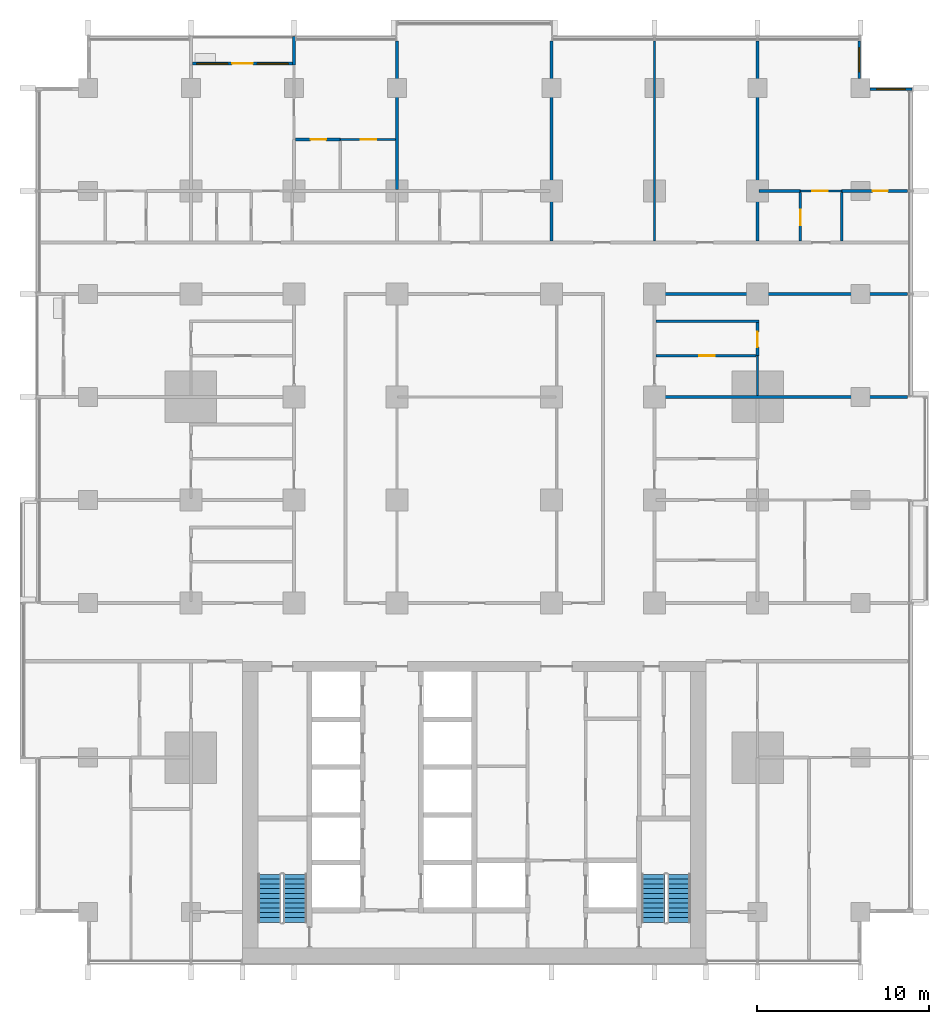
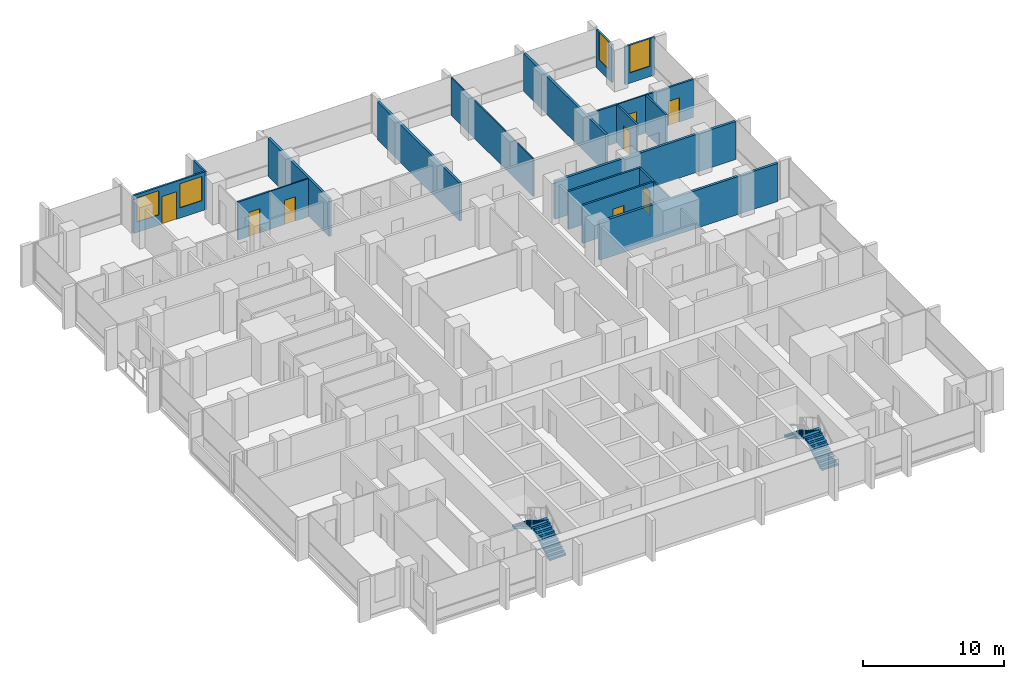
# One storey, part 12 of 17: 21 walls, 8 doors, 4 stair flights, 4 windows, 12 openings, 2 elements without a shape of their own.
"""IFC4 building model written with IfcOpenShell, lengths in metres."""

from ifc_helpers import new_model, si_unit, direction, frame, frame_2d, origin, place, context, subcontext, project, spatial, polyline, rectangle, outline, extrude, material, layer, layer_set, type_object, element, fill, aggregate, save


model = new_model("IFC4")

# Units and contexts
model_context = context("Model", 3, precision=1e-05, world=origin(), true_north=direction((0.0, 1.0)))
body_context = subcontext(model_context, "Body", "Model", "MODEL_VIEW")
ifc_project = project(units=[si_unit("LENGTHUNIT", "METRE"), si_unit("AREAUNIT", "SQUARE_METRE"), si_unit("VOLUMEUNIT", "CUBIC_METRE"), si_unit("PLANEANGLEUNIT", "RADIAN"), si_unit("MASSUNIT", "GRAM", prefix="KILO")], contexts=[model_context])

# Site, building, storey
site_placement = place(None, origin())
site = spatial("IfcSite", under=ifc_project, at=site_placement, CompositionType="ELEMENT")
building_placement = place(site_placement, origin())
building = spatial("IfcBuilding", under=site, at=building_placement, Name="Finial Court Residences", CompositionType="ELEMENT")
storey_placement = place(building_placement, frame((0.0, 0.0, 61.300048828125)))
storey = spatial("IfcBuildingStorey", under=building, at=storey_placement, Name="L14", CompositionType="ELEMENT", Elevation=61.300048828125)

# Walls
ifc_material_1 = material(Name="Gypsum board")
ifc_layer_1 = layer(ifc_material_1, 0.02490234375)
ifc_material_2 = material(Name="Acoustic mineral wool in double frame")
ifc_layer_2 = layer(ifc_material_2, 0.14990234375)
ifc_layer_3 = layer(ifc_material_1, 0.02490234375)
ifc_layer_set_1 = layer_set([ifc_layer_1, ifc_layer_2, ifc_layer_3], Name="Acoustic party wall 200, 1 hour")
wall_type_1 = type_object("IfcWallType", Name="Acoustic party wall 200, 1 hour", PredefinedType="PARTITIONING", material=ifc_layer_set_1)
wall_1_placement = place(storey_placement, frame((10.60009765625, 7.5, 0.0), z_axis=(0.0, 0.0, 1.0), x_axis=(1.0, 0.0, 0.0)))
element("IfcWall", 1, at=wall_1_placement, inside=storey, type_object=wall_type_1, Name="Partition L14-023", PredefinedType="PARTITIONING", context=body_context, shape_type="SweptSolid", body=[
    extrude(rectangle(XDim=14.64990234375, YDim=0.199951171875, at=frame_2d((7.324951171875, 0.0))), origin(), (0.0, 0.0, 1.0), 3.300048828125),
])
wall_2_placement = place(storey_placement, frame((-4.5, 19.574951171875, 0.0), z_axis=(0.0, 0.0, 1.0), x_axis=(0.0, 1.0, 0.0)))
element("IfcWall", 2, at=wall_2_placement, inside=storey, type_object=wall_type_1, Name="Partition L14-070", PredefinedType="PARTITIONING", context=body_context, shape_type="SweptSolid", body=[
    extrude(rectangle(XDim=8.675048828125, YDim=0.199951171875, at=frame_2d((4.33740234375, 0.0))), origin(), (0.0, 0.0, 1.0), 3.300048828125),
])
ifc_layer_4 = layer(ifc_material_1, 0.02490234375)
ifc_layer_5 = layer(ifc_material_2, 0.14990234375)
ifc_layer_6 = layer(ifc_material_1, 0.02490234375)
ifc_layer_set_2 = layer_set([ifc_layer_4, ifc_layer_5, ifc_layer_6], Name="Corridor wall 200, 1 hour")
wall_type_2 = type_object("IfcWallType", Name="Corridor wall 200, 1 hour", PredefinedType="PARTITIONING", material=ifc_layer_set_2)
wall_3_placement = place(storey_placement, frame((10.39990234375, 13.5, 0.0), z_axis=(0.0, 0.0, 1.0), x_axis=(1.0, 0.0, 0.0)))
element("IfcWall", 3, at=wall_3_placement, inside=storey, type_object=wall_type_2, Name="Partition L14-030", PredefinedType="PARTITIONING", context=body_context, shape_type="SweptSolid", body=[
    extrude(rectangle(XDim=14.85009765625, YDim=0.199951171875, at=frame_2d((7.425048828125, 0.0))), origin(), (0.0, 0.0, 1.0), 3.300048828125),
])
for number, where, z_axis, x_axis, name in (
    (4, (4.5, 16.60009765625, 0.0), (0.0, 0.0, 1.0), (0.0, 1.0, 0.0), "Partition L14-073"),
    (5, (16.5, 16.60009765625, 0.0), (0.0, 0.0, 1.0), (0.0, 1.0, 0.0), "Partition L14-078"),
):
    element("IfcWall", number, at=place(storey_placement, frame(where, z_axis=z_axis, x_axis=x_axis)), inside=storey, type_object=wall_type_2, Name=name, PredefinedType="PARTITIONING", context=body_context, shape_type="SweptSolid", body=[
        extrude(rectangle(XDim=11.64990234375, YDim=0.199951171875, at=frame_2d((5.824951171875, 0.0))), origin(), (0.0, 0.0, 1.0), 3.300048828125),
    ])

# Wall, opening, door
ifc_layer_7 = layer(ifc_material_1, 0.012451171875)
ifc_material_3 = material(Name="Mineral wool in light-gauge frame")
ifc_layer_8 = layer(ifc_material_3, 0.074951171875)
ifc_layer_9 = layer(ifc_material_1, 0.012451171875)
ifc_layer_set_3 = layer_set([ifc_layer_7, ifc_layer_8, ifc_layer_9], Name="Gypsum board partition 100")
wall_type_3 = type_object("IfcWallType", Name="Gypsum board partition 100", PredefinedType="PARTITIONING", material=ifc_layer_set_3)
wall_4_placement = place(storey_placement, frame((19.0, 19.5, 0.0), z_axis=(0.0, 0.0, 1.0), x_axis=(1.0, 0.0, 0.0)))
wall_4 = element("IfcWall", 6, at=wall_4_placement, inside=storey, type_object=wall_type_3, Name="Partition L14-035", PredefinedType="PARTITIONING", context=body_context, shape_type="SweptSolid", body=[
    extrude(rectangle(XDim=2.39990234375, YDim=0.10009765625, at=frame_2d((1.199951171875, 0.0))), origin(), (0.0, 0.0, 1.0), 3.300048828125),
])
opening_1_placement = place(wall_4_placement, frame((0.699951171875, 0.0, 0.0)))
opening_1 = element("IfcOpeningElement", 7, at=opening_1_placement, cuts=wall_4, Name="Opening L14-D027", PredefinedType="OPENING", context=body_context, shape_type="SweptSolid", body=[
    extrude(rectangle(XDim=0.89990234375, YDim=2.10009765625, at=frame_2d((0.449951171875, 1.050048828125))), frame((0.0, 0.06005859375, 0.0), z_axis=(0.0, -1.0, 0.0), x_axis=(1.0, 0.0, 0.0)), (0.0, 0.0, 1.0), 0.1201171875),
])
ifc_material_4 = material(Name="Timber door leaf in timber frame", Category="wood")
door_type_1 = type_object("IfcDoorType", Name="Door set 900 x 2100", OperationType="SINGLE_SWING_LEFT", PredefinedType="DOOR", material=ifc_material_4)
door_1_placement = place(opening_1_placement, origin())
door_1 = element("IfcDoor", 8, at=door_1_placement, inside=storey, type_object=door_type_1, Name="Door L14-D027", OperationType="SINGLE_SWING_RIGHT", OverallHeight=2.10009765625, OverallWidth=0.89990234375, PredefinedType="DOOR", context=body_context, shape_type="SweptSolid", body=[
    extrude(rectangle(XDim=0.89990234375, YDim=2.10009765625, at=frame_2d((0.449951171875, 1.050048828125))), frame((0.0, 0.02490234375, 0.0), z_axis=(0.0, -1.0, 0.0), x_axis=(1.0, 0.0, 0.0)), (0.0, 0.0, 1.0), 0.050048828125),
])
fill(opening_1, door_1)

wall_5_placement = place(storey_placement, frame((-7.800048828125, 22.5, 0.0), z_axis=(0.0, 0.0, 1.0), x_axis=(1.0, 0.0, 0.0)))
wall_5 = element("IfcWall", 9, at=wall_5_placement, inside=storey, type_object=wall_type_3, Name="Partition L14-042", PredefinedType="PARTITIONING", context=body_context, shape_type="SweptSolid", body=[
    extrude(rectangle(XDim=3.199951171875, YDim=0.10009765625, at=frame_2d((1.60009765625, 0.0))), origin(), (0.0, 0.0, 1.0), 3.300048828125),
])
opening_2_placement = place(wall_5_placement, frame((1.199951171875, 0.0, 0.0)))
opening_2 = element("IfcOpeningElement", 10, at=opening_2_placement, cuts=wall_5, Name="Opening L14-D031", PredefinedType="OPENING", context=body_context, shape_type="SweptSolid", body=[
    extrude(rectangle(XDim=0.89990234375, YDim=2.10009765625, at=frame_2d((0.449951171875, 1.050048828125))), frame((0.0, 0.06005859375, 0.0), z_axis=(0.0, -1.0, 0.0), x_axis=(1.0, 0.0, 0.0)), (0.0, 0.0, 1.0), 0.1201171875),
])
door_2_placement = place(opening_2_placement, origin())
door_2 = element("IfcDoor", 11, at=door_2_placement, inside=storey, type_object=door_type_1, Name="Door L14-D031", OperationType="SINGLE_SWING_RIGHT", OverallHeight=2.10009765625, OverallWidth=0.89990234375, PredefinedType="DOOR", context=body_context, shape_type="SweptSolid", body=[
    extrude(rectangle(XDim=0.89990234375, YDim=2.10009765625, at=frame_2d((0.449951171875, 1.050048828125))), frame((0.0, 0.02490234375, 0.0), z_axis=(0.0, -1.0, 0.0), x_axis=(1.0, 0.0, 0.0)), (0.0, 0.0, 1.0), 0.050048828125),
])
fill(opening_2, door_2)

# Walls
wall_6_placement = place(storey_placement, frame((10.5, 16.60009765625, 0.0), z_axis=(0.0, 0.0, 1.0), x_axis=(0.0, 1.0, 0.0)))
element("IfcWall", 12, at=wall_6_placement, inside=storey, type_object=wall_type_3, Name="Partition L14-077", PredefinedType="PARTITIONING", context=body_context, shape_type="SweptSolid", body=[
    extrude(rectangle(XDim=11.64990234375, YDim=0.10009765625, at=frame_2d((5.824951171875, 0.0))), origin(), (0.0, 0.0, 1.0), 3.300048828125),
])
wall_7_placement = place(storey_placement, frame((16.5, 7.60009765625, 0.0), z_axis=(0.0, 0.0, 1.0), x_axis=(0.0, 1.0, 0.0)))
element("IfcWall", 13, at=wall_7_placement, inside=storey, type_object=wall_type_3, Name="Partition L14-081", PredefinedType="PARTITIONING", context=body_context, shape_type="SweptSolid", body=[
    extrude(rectangle(XDim=2.2998046875, YDim=0.10009765625, at=frame_2d((1.14990234375, 0.0))), origin(), (0.0, 0.0, 1.0), 3.300048828125),
])

# Wall, opening, door
ifc_material_5 = material(Name="Moisture-resistant gypsum board")
ifc_layer_10 = layer(ifc_material_5, 0.012451171875)
ifc_layer_11 = layer(ifc_material_3, 0.125)
ifc_layer_12 = layer(ifc_material_5, 0.012451171875)
ifc_layer_set_4 = layer_set([ifc_layer_10, ifc_layer_11, ifc_layer_12], Name="Gypsum board wet-area partition 150")
wall_type_4 = type_object("IfcWallType", Name="Gypsum board wet-area partition 150", PredefinedType="PARTITIONING", material=ifc_layer_set_4)
wall_8_placement = place(storey_placement, frame((10.60009765625, 9.89990234375, 0.0), z_axis=(0.0, 0.0, 1.0), x_axis=(1.0, 0.0, 0.0)))
wall_8 = element("IfcWall", 14, at=wall_8_placement, inside=storey, type_object=wall_type_4, Name="Partition L14-025", PredefinedType="PARTITIONING", context=body_context, shape_type="SweptSolid", body=[
    extrude(rectangle(XDim=5.824951171875, YDim=0.14990234375, at=frame_2d((2.91259765625, 0.0))), origin(), (0.0, 0.0, 1.0), 3.300048828125),
])
opening_3_placement = place(wall_8_placement, frame((2.5, 0.0, 0.0)))
opening_3 = element("IfcOpeningElement", 15, at=opening_3_placement, cuts=wall_8, Name="Opening L14-D016", PredefinedType="OPENING", context=body_context, shape_type="SweptSolid", body=[
    extrude(rectangle(XDim=0.89990234375, YDim=2.10009765625, at=frame_2d((0.449951171875, 1.050048828125))), frame((0.0, 0.0849609375, 0.0), z_axis=(0.0, -1.0, 0.0), x_axis=(1.0, 0.0, 0.0)), (0.0, 0.0, 1.0), 0.169921875),
])
door_3_placement = place(opening_3_placement, origin())
door_3 = element("IfcDoor", 16, at=door_3_placement, inside=storey, type_object=door_type_1, Name="Door L14-D016", OperationType="SINGLE_SWING_LEFT", OverallHeight=2.10009765625, OverallWidth=0.89990234375, PredefinedType="DOOR", context=body_context, shape_type="SweptSolid", body=[
    extrude(rectangle(XDim=0.89990234375, YDim=2.10009765625, at=frame_2d((0.449951171875, 1.050048828125))), frame((0.0, 0.02490234375, 0.0), z_axis=(0.0, -1.0, 0.0), x_axis=(1.0, 0.0, 0.0)), (0.0, 0.0, 1.0), 0.050048828125),
])
fill(opening_3, door_3)

# Walls
wall_9_placement = place(storey_placement, frame((10.60009765625, 11.89990234375, 0.0), z_axis=(0.0, 0.0, 1.0), x_axis=(1.0, 0.0, 0.0)))
element("IfcWall", 17, at=wall_9_placement, inside=storey, type_object=wall_type_4, Name="Partition L14-027", PredefinedType="PARTITIONING", context=body_context, shape_type="SweptSolid", body=[
    extrude(rectangle(XDim=5.974853515625, YDim=0.14990234375, at=frame_2d((2.9873046875, 0.0))), origin(), (0.0, 0.0, 1.0), 3.300048828125),
])
wall_10_placement = place(storey_placement, frame((16.60009765625, 19.5, 0.0), z_axis=(0.0, 0.0, 1.0), x_axis=(1.0, 0.0, 0.0)))
element("IfcWall", 18, at=wall_10_placement, inside=storey, type_object=wall_type_4, Name="Partition L14-040", PredefinedType="PARTITIONING", context=body_context, shape_type="SweptSolid", body=[
    extrude(rectangle(XDim=2.39990234375, YDim=0.14990234375, at=frame_2d((1.199951171875, 0.0))), origin(), (0.0, 0.0, 1.0), 3.300048828125),
])

# Wall, opening, door
wall_11_placement = place(storey_placement, frame((21.39990234375, 19.5, 0.0), z_axis=(0.0, 0.0, 1.0), x_axis=(1.0, 0.0, 0.0)))
wall_11 = element("IfcWall", 19, at=wall_11_placement, inside=storey, type_object=wall_type_4, Name="Partition L14-041", PredefinedType="PARTITIONING", context=body_context, shape_type="SweptSolid", body=[
    extrude(rectangle(XDim=3.85009765625, YDim=0.14990234375, at=frame_2d((1.925048828125, 0.0))), origin(), (0.0, 0.0, 1.0), 3.300048828125),
])
opening_4_placement = place(wall_11_placement, frame((1.800048828125, 0.0, 0.0)))
opening_4 = element("IfcOpeningElement", 20, at=opening_4_placement, cuts=wall_11, Name="Opening L14-D030", PredefinedType="OPENING", context=body_context, shape_type="SweptSolid", body=[
    extrude(rectangle(XDim=0.89990234375, YDim=2.10009765625, at=frame_2d((0.449951171875, 1.050048828125))), frame((0.0, 0.0849609375, 0.0), z_axis=(0.0, -1.0, 0.0), x_axis=(1.0, 0.0, 0.0)), (0.0, 0.0, 1.0), 0.169921875),
])
door_4_placement = place(opening_4_placement, origin())
door_4 = element("IfcDoor", 21, at=door_4_placement, inside=storey, type_object=door_type_1, Name="Door L14-D030", OperationType="SINGLE_SWING_RIGHT", OverallHeight=2.10009765625, OverallWidth=0.89990234375, PredefinedType="DOOR", context=body_context, shape_type="SweptSolid", body=[
    extrude(rectangle(XDim=0.89990234375, YDim=2.10009765625, at=frame_2d((0.449951171875, 1.050048828125))), frame((0.0, 0.02490234375, 0.0), z_axis=(0.0, -1.0, 0.0), x_axis=(1.0, 0.0, 0.0)), (0.0, 0.0, 1.0), 0.050048828125),
])
fill(opening_4, door_4)

wall_12_placement = place(storey_placement, frame((-10.425048828125, 22.5, 0.0), z_axis=(0.0, 0.0, 1.0), x_axis=(1.0, 0.0, 0.0)))
wall_12 = element("IfcWall", 22, at=wall_12_placement, inside=storey, type_object=wall_type_4, Name="Partition L14-043", PredefinedType="PARTITIONING", context=body_context, shape_type="SweptSolid", body=[
    extrude(rectangle(XDim=2.625, YDim=0.14990234375, at=frame_2d((1.3125, 0.0))), origin(), (0.0, 0.0, 1.0), 3.300048828125),
])
opening_5_placement = place(wall_12_placement, frame((0.89990234375, 0.0, 0.0)))
opening_5 = element("IfcOpeningElement", 23, at=opening_5_placement, cuts=wall_12, Name="Opening L14-D032", PredefinedType="OPENING", context=body_context, shape_type="SweptSolid", body=[
    extrude(rectangle(XDim=0.89990234375, YDim=2.10009765625, at=frame_2d((0.449951171875, 1.050048828125))), frame((0.0, 0.0849609375, 0.0), z_axis=(0.0, -1.0, 0.0), x_axis=(1.0, 0.0, 0.0)), (0.0, 0.0, 1.0), 0.169921875),
])
door_5_placement = place(opening_5_placement, origin())
door_5 = element("IfcDoor", 24, at=door_5_placement, inside=storey, type_object=door_type_1, Name="Door L14-D032", OperationType="SINGLE_SWING_LEFT", OverallHeight=2.10009765625, OverallWidth=0.89990234375, PredefinedType="DOOR", context=body_context, shape_type="SweptSolid", body=[
    extrude(rectangle(XDim=0.89990234375, YDim=2.10009765625, at=frame_2d((0.449951171875, 1.050048828125))), frame((0.0, 0.02490234375, 0.0), z_axis=(0.0, -1.0, 0.0), x_axis=(1.0, 0.0, 0.0)), (0.0, 0.0, 1.0), 0.050048828125),
])
fill(opening_5, door_5)

wall_13_placement = place(storey_placement, frame((16.5, 9.89990234375, 0.0), z_axis=(0.0, 0.0, 1.0), x_axis=(0.0, 1.0, 0.0)))
wall_13 = element("IfcWall", 25, at=wall_13_placement, inside=storey, type_object=wall_type_4, Name="Partition L14-085", PredefinedType="PARTITIONING", context=body_context, shape_type="SweptSolid", body=[
    extrude(rectangle(XDim=1.925048828125, YDim=0.14990234375, at=frame_2d((0.96240234375, 0.0))), origin(), (0.0, 0.0, 1.0), 3.300048828125),
])
opening_6_placement = place(wall_13_placement, frame((0.5, 0.0, 0.0)))
opening_6 = element("IfcOpeningElement", 26, at=opening_6_placement, cuts=wall_13, Name="Opening L14-D054", PredefinedType="OPENING", context=body_context, shape_type="SweptSolid", body=[
    extrude(rectangle(XDim=0.89990234375, YDim=2.10009765625, at=frame_2d((0.449951171875, 1.050048828125))), frame((0.0, 0.0849609375, 0.0), z_axis=(0.0, -1.0, 0.0), x_axis=(1.0, 0.0, 0.0)), (0.0, 0.0, 1.0), 0.169921875),
])
door_6_placement = place(opening_6_placement, origin())
door_6 = element("IfcDoor", 27, at=door_6_placement, inside=storey, type_object=door_type_1, Name="Door L14-D054", OperationType="SINGLE_SWING_LEFT", OverallHeight=2.10009765625, OverallWidth=0.89990234375, PredefinedType="DOOR", context=body_context, shape_type="SweptSolid", body=[
    extrude(rectangle(XDim=0.89990234375, YDim=2.10009765625, at=frame_2d((0.449951171875, 1.050048828125))), frame((0.0, 0.02490234375, 0.0), z_axis=(0.0, -1.0, 0.0), x_axis=(1.0, 0.0, 0.0)), (0.0, 0.0, 1.0), 0.050048828125),
])
fill(opening_6, door_6)

wall_14_placement = place(storey_placement, frame((19.0, 16.60009765625, 0.0), z_axis=(0.0, 0.0, 1.0), x_axis=(0.0, 1.0, 0.0)))
wall_14 = element("IfcWall", 28, at=wall_14_placement, inside=storey, type_object=wall_type_4, Name="Partition L14-086", PredefinedType="PARTITIONING", context=body_context, shape_type="SweptSolid", body=[
    extrude(rectangle(XDim=2.824951171875, YDim=0.14990234375, at=frame_2d((1.41259765625, 0.0))), origin(), (0.0, 0.0, 1.0), 3.300048828125),
])
opening_7_placement = place(wall_14_placement, frame((0.89990234375, 0.0, 0.0)))
opening_7 = element("IfcOpeningElement", 29, at=opening_7_placement, cuts=wall_14, Name="Opening L14-D055", PredefinedType="OPENING", context=body_context, shape_type="SweptSolid", body=[
    extrude(rectangle(XDim=0.89990234375, YDim=2.10009765625, at=frame_2d((0.449951171875, 1.050048828125))), frame((0.0, 0.0849609375, 0.0), z_axis=(0.0, -1.0, 0.0), x_axis=(1.0, 0.0, 0.0)), (0.0, 0.0, 1.0), 0.169921875),
])
door_7_placement = place(opening_7_placement, origin())
door_7 = element("IfcDoor", 30, at=door_7_placement, inside=storey, type_object=door_type_1, Name="Door L14-D055", OperationType="SINGLE_SWING_RIGHT", OverallHeight=2.10009765625, OverallWidth=0.89990234375, PredefinedType="DOOR", context=body_context, shape_type="SweptSolid", body=[
    extrude(rectangle(XDim=0.89990234375, YDim=2.10009765625, at=frame_2d((0.449951171875, 1.050048828125))), frame((0.0, 0.02490234375, 0.0), z_axis=(0.0, -1.0, 0.0), x_axis=(1.0, 0.0, 0.0)), (0.0, 0.0, 1.0), 0.050048828125),
])
fill(opening_7, door_7)

# Wall
wall_15_placement = place(storey_placement, frame((21.39990234375, 16.60009765625, 0.0), z_axis=(0.0, 0.0, 1.0), x_axis=(0.0, 1.0, 0.0)))
element("IfcWall", 31, at=wall_15_placement, inside=storey, type_object=wall_type_4, Name="Partition L14-089", PredefinedType="PARTITIONING", context=body_context, shape_type="SweptSolid", body=[
    extrude(rectangle(XDim=2.824951171875, YDim=0.14990234375, at=frame_2d((1.41259765625, 0.0))), origin(), (0.0, 0.0, 1.0), 3.300048828125),
])

# Wall, opening, window
ifc_material_6 = material(Name="Natural limestone", Category="masonry")
ifc_layer_13 = layer(ifc_material_6, 0.14990234375)
ifc_layer_set_5 = layer_set([ifc_layer_13], Name="Limestone clad wall 150")
wall_type_5 = type_object("IfcWallType", Name="Limestone clad wall 150", PredefinedType="SOLIDWALL", material=ifc_layer_set_5)
wall_16_placement = place(storey_placement, frame((22.425048828125, 28.25, 0.0), z_axis=(0.0, 0.0, 1.0), x_axis=(0.0, -1.0, 0.0)))
wall_16 = element("IfcWall", 32, at=wall_16_placement, inside=storey, type_object=wall_type_5, Name="E-L14-NWE20", PredefinedType="SOLIDWALL", context=body_context, shape_type="SweptSolid", body=[
    extrude(rectangle(XDim=2.199951171875, YDim=0.14990234375, at=frame_2d((1.10009765625, 0.0))), origin(), (0.0, 0.0, 1.0), 3.300048828125),
])
opening_8_placement = place(wall_16_placement, frame((0.39990234375, 0.0, 0.89990234375)))
opening_8 = element("IfcOpeningElement", 33, at=opening_8_placement, cuts=wall_16, Name="Opening WE14-07", PredefinedType="OPENING", context=body_context, shape_type="SweptSolid", body=[
    extrude(rectangle(XDim=1.39990234375, YDim=2.39990234375, at=frame_2d((0.699951171875, 1.199951171875))), frame((0.0, 0.0849609375, 0.0), z_axis=(0.0, -1.0, 0.0), x_axis=(1.0, 0.0, 0.0)), (0.0, 0.0, 1.0), 0.169921875),
])
ifc_material_7 = material(Name="Clear low-e glass", Category="glass")
window_type_1 = type_object("IfcWindowType", Name="Corner window 1400 x 2400", PartitioningType="SINGLE_PANEL", PredefinedType="WINDOW", material=ifc_material_7)
window_1_placement = place(opening_8_placement, origin())
window_1 = element("IfcWindow", 34, at=window_1_placement, inside=storey, type_object=window_type_1, Name="E-L14-NWE20-W1", OverallHeight=2.39990234375, OverallWidth=1.39990234375, PartitioningType="SINGLE_PANEL", PredefinedType="WINDOW", context=body_context, shape_type="SweptSolid", body=[
    extrude(rectangle(XDim=1.39990234375, YDim=2.39990234375, at=frame_2d((0.699951171875, 1.199951171875))), frame((0.0, 0.030029296875, 0.0), z_axis=(0.0, -1.0, 0.0), x_axis=(1.0, 0.0, 0.0)), (0.0, 0.0, 1.0), 0.06005859375),
])
fill(opening_8, window_1)

wall_17_placement = place(storey_placement, frame((23.050048828125, 25.425048828125, 0.0), z_axis=(0.0, 0.0, 1.0), x_axis=(1.0, 0.0, 0.0)))
wall_17 = element("IfcWall", 35, at=wall_17_placement, inside=storey, type_object=wall_type_5, Name="E-L14-NWN21", PredefinedType="SOLIDWALL", context=body_context, shape_type="SweptSolid", body=[
    extrude(rectangle(XDim=2.449951171875, YDim=0.14990234375, at=frame_2d((1.22509765625, 0.0))), origin(), (0.0, 0.0, 1.0), 3.300048828125),
])
opening_9_placement = place(wall_17_placement, frame((0.39990234375, 0.0, 0.89990234375)))
opening_9 = element("IfcOpeningElement", 36, at=opening_9_placement, cuts=wall_17, Name="Opening WE14-08", PredefinedType="OPENING", context=body_context, shape_type="SweptSolid", body=[
    extrude(rectangle(XDim=1.64990234375, YDim=2.39990234375, at=frame_2d((0.824951171875, 1.199951171875))), frame((0.0, 0.0849609375, 0.0), z_axis=(0.0, -1.0, 0.0), x_axis=(1.0, 0.0, 0.0)), (0.0, 0.0, 1.0), 0.169921875),
])
window_type_2 = type_object("IfcWindowType", Name="Corner window 1650 x 2400", PartitioningType="SINGLE_PANEL", PredefinedType="WINDOW", material=ifc_material_7)
window_2_placement = place(opening_9_placement, origin())
window_2 = element("IfcWindow", 37, at=window_2_placement, inside=storey, type_object=window_type_2, Name="E-L14-NWN21-W1", OverallHeight=2.39990234375, OverallWidth=1.64990234375, PartitioningType="SINGLE_PANEL", PredefinedType="WINDOW", context=body_context, shape_type="SweptSolid", body=[
    extrude(rectangle(XDim=1.64990234375, YDim=2.39990234375, at=frame_2d((0.824951171875, 1.199951171875))), frame((0.0, 0.030029296875, 0.0), z_axis=(0.0, -1.0, 0.0), x_axis=(1.0, 0.0, 0.0)), (0.0, 0.0, 1.0), 0.06005859375),
])
fill(opening_9, window_2)

# Wall
wall_18_placement = place(storey_placement, frame((-10.5, 26.85009765625, 0.0), z_axis=(0.0, 0.0, 1.0), x_axis=(0.0, 1.0, 0.0)))
element("IfcWall", 38, at=wall_18_placement, inside=storey, type_object=wall_type_5, Name="E-L14-BALN2-P2", PredefinedType="SOLIDWALL", context=body_context, shape_type="SweptSolid", body=[
    extrude(rectangle(XDim=1.64990234375, YDim=0.14990234375, at=frame_2d((0.824951171875, 0.0))), origin(), (0.0, 0.0, 1.0), 3.300048828125),
])

# Wall, openings, door, windows
wall_19_placement = place(storey_placement, frame((-16.425048828125, 26.925048828125, 0.0), z_axis=(0.0, 0.0, 1.0), x_axis=(1.0, 0.0, 0.0)))
wall_19 = element("IfcWall", 39, at=wall_19_placement, inside=storey, type_object=wall_type_5, Name="E-L14-L14-BALN2-W", PredefinedType="SOLIDWALL", context=body_context, shape_type="SweptSolid", body=[
    extrude(rectangle(XDim=5.85009765625, YDim=0.14990234375, at=frame_2d((2.925048828125, 0.0))), origin(), (0.0, 0.0, 1.0), 3.300048828125),
])
opening_10_placement = place(wall_19_placement, frame((2.324951171875, 0.0, 0.0)))
opening_10 = element("IfcOpeningElement", 40, at=opening_10_placement, cuts=wall_19, Name="Opening DE14-01", PredefinedType="OPENING", context=body_context, shape_type="SweptSolid", body=[
    extrude(rectangle(XDim=1.199951171875, YDim=2.39990234375, at=frame_2d((0.60009765625, 1.199951171875))), frame((0.0, 0.0849609375, 0.0), z_axis=(0.0, -1.0, 0.0), x_axis=(1.0, 0.0, 0.0)), (0.0, 0.0, 1.0), 0.169921875),
])
opening_11_placement = place(wall_19_placement, frame((0.262451171875, 0.0, 0.89990234375)))
opening_11 = element("IfcOpeningElement", 41, at=opening_11_placement, cuts=wall_19, Name="Opening WE14-09", PredefinedType="OPENING", context=body_context, shape_type="SweptSolid", body=[
    extrude(rectangle(XDim=1.800048828125, YDim=2.10009765625, at=frame_2d((0.89990234375, 1.050048828125))), frame((0.0, 0.0849609375, 0.0), z_axis=(0.0, -1.0, 0.0), x_axis=(1.0, 0.0, 0.0)), (0.0, 0.0, 1.0), 0.169921875),
])
opening_12_placement = place(wall_19_placement, frame((3.78759765625, 0.0, 0.89990234375)))
opening_12 = element("IfcOpeningElement", 42, at=opening_12_placement, cuts=wall_19, Name="Opening WE14-10", PredefinedType="OPENING", context=body_context, shape_type="SweptSolid", body=[
    extrude(rectangle(XDim=1.800048828125, YDim=2.10009765625, at=frame_2d((0.89990234375, 1.050048828125))), frame((0.0, 0.0849609375, 0.0), z_axis=(0.0, -1.0, 0.0), x_axis=(1.0, 0.0, 0.0)), (0.0, 0.0, 1.0), 0.169921875),
])
ifc_material_8 = material(Name="Bronze anodised aluminium", Category="aluminium")
door_type_2 = type_object("IfcDoorType", Name="Balcony door 1200 x 2400", OperationType="SINGLE_SWING_LEFT", PredefinedType="DOOR", material=ifc_material_8)
door_8_placement = place(opening_10_placement, origin())
door_8 = element("IfcDoor", 43, at=door_8_placement, inside=storey, type_object=door_type_2, Name="E-L14-L14-BALN2-W-D", OperationType="SINGLE_SWING_LEFT", OverallHeight=2.39990234375, OverallWidth=1.199951171875, PredefinedType="DOOR", context=body_context, shape_type="SweptSolid", body=[
    extrude(rectangle(XDim=1.199951171875, YDim=2.39990234375, at=frame_2d((0.60009765625, 1.199951171875))), frame((0.0, 0.02490234375, 0.0), z_axis=(0.0, -1.0, 0.0), x_axis=(1.0, 0.0, 0.0)), (0.0, 0.0, 1.0), 0.050048828125),
])
fill(opening_10, door_8)
window_type_3 = type_object("IfcWindowType", Name="Balcony window 1800 x 2100", PartitioningType="SINGLE_PANEL", PredefinedType="WINDOW", material=ifc_material_7)
window_3_placement = place(opening_11_placement, origin())
window_3 = element("IfcWindow", 44, at=window_3_placement, inside=storey, type_object=window_type_3, Name="E-L14-L14-BALN2-W-W1", OverallHeight=2.10009765625, OverallWidth=1.800048828125, PartitioningType="SINGLE_PANEL", PredefinedType="WINDOW", context=body_context, shape_type="SweptSolid", body=[
    extrude(rectangle(XDim=1.800048828125, YDim=2.10009765625, at=frame_2d((0.89990234375, 1.050048828125))), frame((0.0, 0.030029296875, 0.0), z_axis=(0.0, -1.0, 0.0), x_axis=(1.0, 0.0, 0.0)), (0.0, 0.0, 1.0), 0.06005859375),
])
fill(opening_11, window_3)
window_4_placement = place(opening_12_placement, origin())
window_4 = element("IfcWindow", 45, at=window_4_placement, inside=storey, type_object=window_type_3, Name="E-L14-L14-BALN2-W-W2", OverallHeight=2.10009765625, OverallWidth=1.800048828125, PartitioningType="SINGLE_PANEL", PredefinedType="WINDOW", context=body_context, shape_type="SweptSolid", body=[
    extrude(rectangle(XDim=1.800048828125, YDim=2.10009765625, at=frame_2d((0.89990234375, 1.050048828125))), frame((0.0, 0.030029296875, 0.0), z_axis=(0.0, -1.0, 0.0), x_axis=(1.0, 0.0, 0.0)), (0.0, 0.0, 1.0), 0.06005859375),
])
fill(opening_12, window_4)

# Stair, stair flights
ifc_material_9 = material(Name="Concrete C50/60", Category="concrete")
stair_type = type_object("IfcStairType", Name="Exit stair 22 risers of 163.6 mm", PredefinedType="HALF_TURN_STAIR", material=ifc_material_9)
stair_1_placement = place(storey_placement, origin())
stair_1 = element("IfcStair", 46, at=stair_1_placement, inside=storey, type_object=stair_type, Name="L14 Exit stair ST-1", PredefinedType="HALF_TURN_STAIR")
stair_flight_type = type_object("IfcStairFlightType", Name="Exit stair flight", PredefinedType="STRAIGHT", material=ifc_material_9)
stair_flight_1_placement = place(storey_placement, frame((-10.425048828125, -23.10009765625, 0.0), z_axis=(0.0, 0.0, 1.0), x_axis=(0.0, 1.0, 0.0)))
stair_flight_1 = element("IfcStairFlight", 47, at=stair_flight_1_placement, type_object=stair_flight_type, Name="ST-1 flight 1", NumberOfRisers=11, NumberOfTreads=10, PredefinedType="STRAIGHT", RiserHeight=0.163636364, TreadLength=0.28, context=body_context, shape_type="SweptSolid", body=[
    extrude(outline(polyline([(0.0, 0.0), (0.0, 0.16357421875), (0.280029296875, 0.16357421875), (0.280029296875, 0.327392578125), (0.56005859375, 0.327392578125), (0.56005859375, 0.490966796875), (0.840087890625, 0.490966796875), (0.840087890625, 0.654541015625), (1.1201171875, 0.654541015625), (1.1201171875, 0.818115234375), (1.39990234375, 0.818115234375), (1.39990234375, 0.98193359375), (1.679931640625, 0.98193359375), (1.679931640625, 1.1455078125), (1.9599609375, 1.1455078125), (1.9599609375, 1.30908203125), (2.239990234375, 1.30908203125), (2.239990234375, 1.47265625), (2.52001953125, 1.47265625), (2.52001953125, 1.636474609375), (2.800048828125, 1.636474609375), (2.800048828125, 1.800048828125), (2.800048828125, 1.462646484375), (0.297119140625, 0.0), (0.0, 0.0)])), frame((0.0, 0.675048828125, 0.0), z_axis=(0.0, -1.0, 0.0), x_axis=(1.0, 0.0, 0.0)), (0.0, 0.0, 1.0), 1.35009765625),
])
stair_flight_2_placement = place(storey_placement, frame((-11.925048828125, -20.300048828125, 1.800048828125), z_axis=(0.0, 0.0, 1.0), x_axis=(0.0, -1.0, 0.0)))
stair_flight_2 = element("IfcStairFlight", 48, at=stair_flight_2_placement, type_object=stair_flight_type, Name="ST-1 flight 2", NumberOfRisers=11, NumberOfTreads=10, PredefinedType="STRAIGHT", RiserHeight=0.163636364, TreadLength=0.28, context=body_context, shape_type="SweptSolid", body=[
    extrude(outline(polyline([(0.0, 0.0), (0.0, 0.16357421875), (0.280029296875, 0.16357421875), (0.280029296875, 0.327392578125), (0.56005859375, 0.327392578125), (0.56005859375, 0.490966796875), (0.840087890625, 0.490966796875), (0.840087890625, 0.654541015625), (1.1201171875, 0.654541015625), (1.1201171875, 0.818115234375), (1.39990234375, 0.818115234375), (1.39990234375, 0.98193359375), (1.679931640625, 0.98193359375), (1.679931640625, 1.1455078125), (1.9599609375, 1.1455078125), (1.9599609375, 1.30908203125), (2.239990234375, 1.30908203125), (2.239990234375, 1.47265625), (2.52001953125, 1.47265625), (2.52001953125, 1.636474609375), (2.800048828125, 1.636474609375), (2.800048828125, 1.800048828125), (2.800048828125, 1.462646484375), (0.297119140625, 0.0), (0.0, 0.0)])), frame((0.0, 0.675048828125, 0.0), z_axis=(0.0, -1.0, 0.0), x_axis=(1.0, 0.0, 0.0)), (0.0, 0.0, 1.0), 1.35009765625),
])
aggregate(stair_1, [stair_flight_1, stair_flight_2])

stair_2_placement = place(storey_placement, origin())
stair_2 = element("IfcStair", 49, at=stair_2_placement, inside=storey, type_object=stair_type, Name="L14 Exit stair ST-2", PredefinedType="HALF_TURN_STAIR")
stair_flight_3_placement = place(storey_placement, frame((11.925048828125, -23.10009765625, 0.0), z_axis=(0.0, 0.0, 1.0), x_axis=(0.0, 1.0, 0.0)))
stair_flight_3 = element("IfcStairFlight", 50, at=stair_flight_3_placement, type_object=stair_flight_type, Name="ST-2 flight 1", NumberOfRisers=11, NumberOfTreads=10, PredefinedType="STRAIGHT", RiserHeight=0.163636364, TreadLength=0.28, context=body_context, shape_type="SweptSolid", body=[
    extrude(outline(polyline([(0.0, 0.0), (0.0, 0.16357421875), (0.280029296875, 0.16357421875), (0.280029296875, 0.327392578125), (0.56005859375, 0.327392578125), (0.56005859375, 0.490966796875), (0.840087890625, 0.490966796875), (0.840087890625, 0.654541015625), (1.1201171875, 0.654541015625), (1.1201171875, 0.818115234375), (1.39990234375, 0.818115234375), (1.39990234375, 0.98193359375), (1.679931640625, 0.98193359375), (1.679931640625, 1.1455078125), (1.9599609375, 1.1455078125), (1.9599609375, 1.30908203125), (2.239990234375, 1.30908203125), (2.239990234375, 1.47265625), (2.52001953125, 1.47265625), (2.52001953125, 1.636474609375), (2.800048828125, 1.636474609375), (2.800048828125, 1.800048828125), (2.800048828125, 1.462646484375), (0.297119140625, 0.0), (0.0, 0.0)])), frame((0.0, 0.675048828125, 0.0), z_axis=(0.0, -1.0, 0.0), x_axis=(1.0, 0.0, 0.0)), (0.0, 0.0, 1.0), 1.35009765625),
])
stair_flight_4_placement = place(storey_placement, frame((10.425048828125, -20.300048828125, 1.800048828125), z_axis=(0.0, 0.0, 1.0), x_axis=(0.0, -1.0, 0.0)))
stair_flight_4 = element("IfcStairFlight", 51, at=stair_flight_4_placement, type_object=stair_flight_type, Name="ST-2 flight 2", NumberOfRisers=11, NumberOfTreads=10, PredefinedType="STRAIGHT", RiserHeight=0.163636364, TreadLength=0.28, context=body_context, shape_type="SweptSolid", body=[
    extrude(outline(polyline([(0.0, 0.0), (0.0, 0.16357421875), (0.280029296875, 0.16357421875), (0.280029296875, 0.327392578125), (0.56005859375, 0.327392578125), (0.56005859375, 0.490966796875), (0.840087890625, 0.490966796875), (0.840087890625, 0.654541015625), (1.1201171875, 0.654541015625), (1.1201171875, 0.818115234375), (1.39990234375, 0.818115234375), (1.39990234375, 0.98193359375), (1.679931640625, 0.98193359375), (1.679931640625, 1.1455078125), (1.9599609375, 1.1455078125), (1.9599609375, 1.30908203125), (2.239990234375, 1.30908203125), (2.239990234375, 1.47265625), (2.52001953125, 1.47265625), (2.52001953125, 1.636474609375), (2.800048828125, 1.636474609375), (2.800048828125, 1.800048828125), (2.800048828125, 1.462646484375), (0.297119140625, 0.0), (0.0, 0.0)])), frame((0.0, 0.675048828125, 0.0), z_axis=(0.0, -1.0, 0.0), x_axis=(1.0, 0.0, 0.0)), (0.0, 0.0, 1.0), 1.35009765625),
])
aggregate(stair_2, [stair_flight_3, stair_flight_4])

save(model, "model.ifc")
